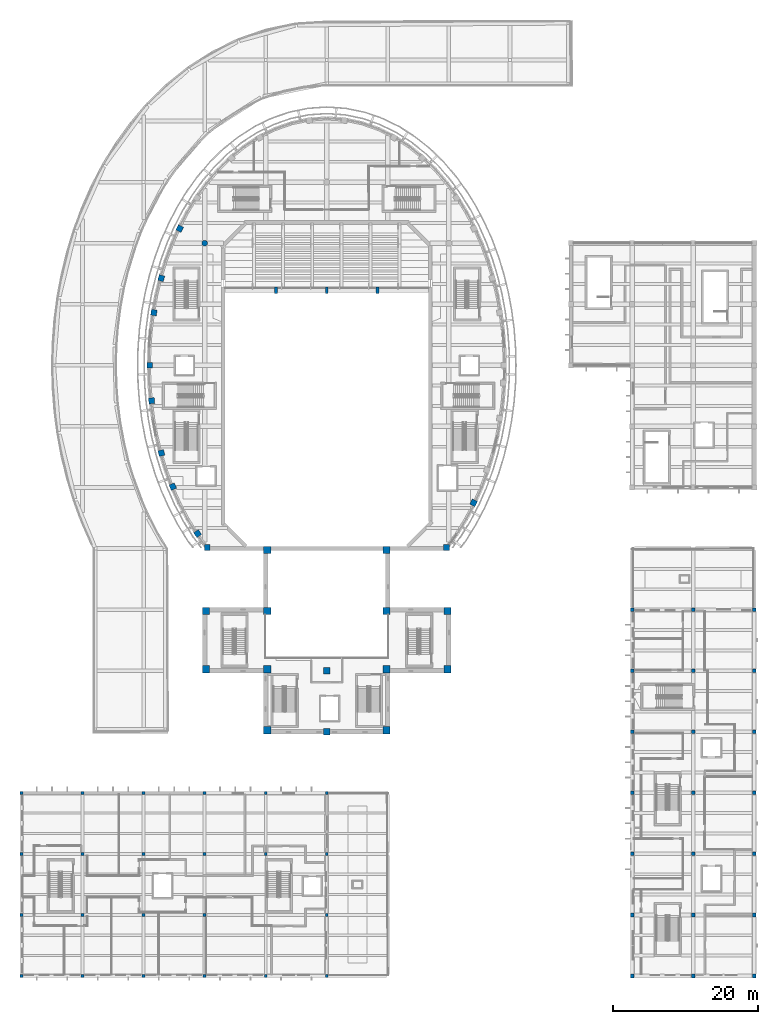
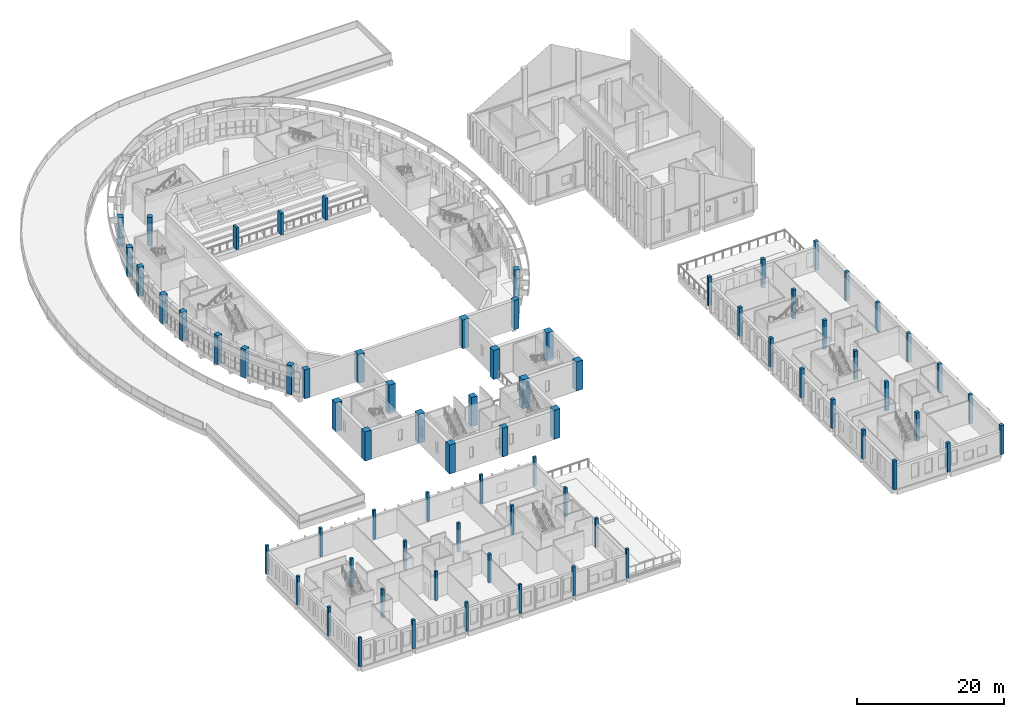
# One storey, part 1 of 79: 73 columns.
"""IFC4 building model written with IfcOpenShell, lengths in metres."""

from ifc_helpers import new_model, si_unit, direction, frame, origin, origin_2d, place, context, subcontext, project, spatial, rectangle, circle, extrude, material, material_profile, profile_set, type_object, element, save


model = new_model("IFC4")

# Units and contexts
model_context = context("Model", 3, precision=1e-05, world=origin(), true_north=direction((0.0, 1.0)))
body_context = subcontext(model_context, "Body", "Model", "MODEL_VIEW")
ifc_project = project(units=[si_unit("LENGTHUNIT", "METRE"), si_unit("AREAUNIT", "SQUARE_METRE"), si_unit("VOLUMEUNIT", "CUBIC_METRE"), si_unit("PLANEANGLEUNIT", "RADIAN"), si_unit("MASSUNIT", "GRAM", prefix="KILO")], contexts=[model_context])

# Site, building, storey
site_placement = place(None, origin())
site = spatial("IfcSite", under=ifc_project, at=site_placement, CompositionType="ELEMENT")
building_placement = place(site_placement, origin())
building = spatial("IfcBuilding", under=site, at=building_placement, Name="Larchfold Concert Hall", CompositionType="ELEMENT")
storey_placement = place(building_placement, frame((0.0, 0.0, 14.39990234375)))
storey = spatial("IfcBuildingStorey", under=building, at=storey_placement, Name="L03", CompositionType="ELEMENT", Elevation=14.39990234375)

# Columns
ifc_material_1 = material(Name="Concrete C35/45", Category="concrete")
ifc_material_profile_1 = material_profile(ifc_material_1, rectangle(XDim=1.0, YDim=1.0, at=origin_2d()))
ifc_profile_set_1 = profile_set([ifc_material_profile_1], Name="Concrete C35/45")
column_type_1 = type_object("IfcColumnType", Name="Column RC 1000x1000", PredefinedType="COLUMN", material=ifc_profile_set_1)
for number, where, z_axis, x_axis, name in (
    (1, (26.0, 42.800048828125, 0.0), (0.0, 0.0, 1.0), (1.0, 0.0, 0.0), "Column C0062"),
    (2, (26.0, 50.800048828125, 0.0), (0.0, 0.0, 1.0), (1.0, 0.0, 0.0), "Column C0063"),
    (3, (34.39990234375, 34.39990234375, 0.0), (0.0, 0.0, 1.0), (1.0, 0.0, 0.0), "Column C0064"),
    (4, (34.39990234375, 42.800048828125, 0.0), (0.0, 0.0, 1.0), (1.0, 0.0, 0.0), "Column C0065"),
    (5, (34.39990234375, 50.800048828125, 0.0), (0.0, 0.0, 1.0), (1.0, 0.0, 0.0), "Column C0066"),
    (6, (34.39990234375, 59.199951171875, 0.0), (0.0, 0.0, 1.0), (1.0, 0.0, 0.0), "Column C0067"),
    (7, (50.800048828125, 34.39990234375, 0.0), (0.0, 0.0, 1.0), (1.0, 0.0, 0.0), "Column C0070"),
    (8, (50.800048828125, 42.800048828125, 0.0), (0.0, 0.0, 1.0), (1.0, 0.0, 0.0), "Column C0071"),
    (9, (50.800048828125, 50.800048828125, 0.0), (0.0, 0.0, 1.0), (1.0, 0.0, 0.0), "Column C0072"),
    (10, (50.800048828125, 59.199951171875, 0.0), (0.0, 0.0, 1.0), (1.0, 0.0, 0.0), "Column C0073"),
    (11, (59.199951171875, 42.800048828125, 0.0), (0.0, 0.0, 1.0), (1.0, 0.0, 0.0), "Column C0074"),
    (12, (59.199951171875, 50.800048828125, 0.0), (0.0, 0.0, 1.0), (1.0, 0.0, 0.0), "Column C0075"),
):
    element("IfcColumn", number, at=place(storey_placement, frame(where, z_axis=z_axis, x_axis=x_axis)), inside=storey, type_object=column_type_1, Name=name, PredefinedType="COLUMN", context=body_context, shape_type="SweptSolid", body=[
        extrude(rectangle(XDim=1.0, YDim=1.0, at=origin_2d()), origin(), (0.0, 0.0, 1.0), 4.800048828125),
    ])
ifc_material_2 = material(Name="Concrete C35/45", Category="concrete")
ifc_material_profile_2 = material_profile(ifc_material_2, rectangle(XDim=0.39990234375, YDim=0.39990234375, at=origin_2d()))
ifc_profile_set_2 = profile_set([ifc_material_profile_2], Name="Concrete C35/45")
column_type_2 = type_object("IfcColumnType", Name="Column RC 400x400", PredefinedType="COLUMN", material=ifc_profile_set_2)
for number, where, z_axis, x_axis, name in (
    (13, (0.60009765625, 0.60009765625, 0.0), (0.0, 0.0, 1.0), (1.0, 0.0, 0.0), "Column C0001"),
    (14, (0.60009765625, 9.0, 0.0), (0.0, 0.0, 1.0), (1.0, 0.0, 0.0), "Column C0002"),
    (15, (0.60009765625, 17.39990234375, 0.0), (0.0, 0.0, 1.0), (1.0, 0.0, 0.0), "Column C0003"),
    (16, (0.60009765625, 25.800048828125, 0.0), (0.0, 0.0, 1.0), (1.0, 0.0, 0.0), "Column C0004"),
    (17, (9.0, 0.60009765625, 0.0), (0.0, 0.0, 1.0), (1.0, 0.0, 0.0), "Column C0005"),
    (18, (9.0, 9.0, 0.0), (0.0, 0.0, 1.0), (1.0, 0.0, 0.0), "Column C0006"),
    (19, (9.0, 17.39990234375, 0.0), (0.0, 0.0, 1.0), (1.0, 0.0, 0.0), "Column C0007"),
    (20, (9.0, 25.800048828125, 0.0), (0.0, 0.0, 1.0), (1.0, 0.0, 0.0), "Column C0008"),
    (21, (17.39990234375, 0.60009765625, 0.0), (0.0, 0.0, 1.0), (1.0, 0.0, 0.0), "Column C0009"),
    (22, (17.39990234375, 9.0, 0.0), (0.0, 0.0, 1.0), (1.0, 0.0, 0.0), "Column C0010"),
    (23, (17.39990234375, 17.39990234375, 0.0), (0.0, 0.0, 1.0), (1.0, 0.0, 0.0), "Column C0011"),
    (24, (17.39990234375, 25.800048828125, 0.0), (0.0, 0.0, 1.0), (1.0, 0.0, 0.0), "Column C0012"),
    (25, (25.800048828125, 0.60009765625, 0.0), (0.0, 0.0, 1.0), (1.0, 0.0, 0.0), "Column C0013"),
    (26, (25.800048828125, 9.0, 0.0), (0.0, 0.0, 1.0), (1.0, 0.0, 0.0), "Column C0014"),
    (27, (25.800048828125, 17.39990234375, 0.0), (0.0, 0.0, 1.0), (1.0, 0.0, 0.0), "Column C0015"),
    (28, (25.800048828125, 25.800048828125, 0.0), (0.0, 0.0, 1.0), (1.0, 0.0, 0.0), "Column C0016"),
    (29, (34.199951171875, 0.60009765625, 0.0), (0.0, 0.0, 1.0), (1.0, 0.0, 0.0), "Column C0017"),
    (30, (34.199951171875, 17.39990234375, 0.0), (0.0, 0.0, 1.0), (1.0, 0.0, 0.0), "Column C0018"),
    (31, (34.199951171875, 25.800048828125, 0.0), (0.0, 0.0, 1.0), (1.0, 0.0, 0.0), "Column C0019"),
    (32, (42.60009765625, 0.60009765625, 0.0), (0.0, 0.0, 1.0), (1.0, 0.0, 0.0), "Column C0020"),
    (33, (42.60009765625, 9.0, 0.0), (0.0, 0.0, 1.0), (1.0, 0.0, 0.0), "Column C0021"),
    (34, (42.60009765625, 17.39990234375, 0.0), (0.0, 0.0, 1.0), (1.0, 0.0, 0.0), "Column C0022"),
    (35, (42.60009765625, 25.800048828125, 0.0), (0.0, 0.0, 1.0), (1.0, 0.0, 0.0), "Column C0023"),
):
    element("IfcColumn", number, at=place(storey_placement, frame(where, z_axis=z_axis, x_axis=x_axis)), inside=storey, type_object=column_type_2, Name=name, PredefinedType="COLUMN", context=body_context, shape_type="SweptSolid", body=[
        extrude(rectangle(XDim=0.39990234375, YDim=0.39990234375, at=origin_2d()), origin(), (0.0, 0.0, 1.0), 4.800048828125),
    ])
ifc_material_3 = material(Name="Concrete C35/45", Category="concrete")
ifc_material_profile_3 = material_profile(ifc_material_3, rectangle(XDim=0.39990234375, YDim=0.89990234375, at=origin_2d()))
ifc_profile_set_3 = profile_set([ifc_material_profile_3], Name="Concrete C35/45")
column_type_3 = type_object("IfcColumnType", Name="Column RC 400x900", PredefinedType="COLUMN", material=ifc_profile_set_3)
for number, where, z_axis, x_axis, name in (
    (36, (35.60009765625, 94.89990234375, 0.0), (0.0, 0.0, 1.0), (1.0, 0.0, 0.0), "Column C0076"),
    (37, (42.60009765625, 94.89990234375, 0.0), (0.0, 0.0, 1.0), (1.0, 0.0, 0.0), "Column C0077"),
    (38, (49.60009765625, 94.89990234375, 0.0), (0.0, 0.0, 1.0), (1.0, 0.0, 0.0), "Column C0078"),
):
    element("IfcColumn", number, at=place(storey_placement, frame(where, z_axis=z_axis, x_axis=x_axis)), inside=storey, type_object=column_type_3, Name=name, PredefinedType="COLUMN", context=body_context, shape_type="SweptSolid", body=[
        extrude(rectangle(XDim=0.39990234375, YDim=0.89990234375, at=origin_2d()), origin(), (0.0, 0.0, 1.0), 3.580078125),
    ])
ifc_material_4 = material(Name="Concrete C35/45", Category="concrete")
ifc_material_profile_4 = material_profile(ifc_material_4, rectangle(XDim=0.5, YDim=0.5, at=origin_2d()))
ifc_profile_set_4 = profile_set([ifc_material_profile_4], Name="Concrete C35/45")
column_type_4 = type_object("IfcColumnType", Name="Column RC 500x500", PredefinedType="COLUMN", material=ifc_profile_set_4)
for number, where, z_axis, x_axis, name in (
    (39, (84.60009765625, 0.60009765625, 0.0), (0.0, 0.0, 1.0), (1.0, 0.0, 0.0), "Column C0024"),
    (40, (84.60009765625, 9.0, 0.0), (0.0, 0.0, 1.0), (1.0, 0.0, 0.0), "Column C0025"),
    (41, (84.60009765625, 17.39990234375, 0.0), (0.0, 0.0, 1.0), (1.0, 0.0, 0.0), "Column C0026"),
    (42, (84.60009765625, 25.800048828125, 0.0), (0.0, 0.0, 1.0), (1.0, 0.0, 0.0), "Column C0027"),
    (43, (84.60009765625, 34.199951171875, 0.0), (0.0, 0.0, 1.0), (1.0, 0.0, 0.0), "Column C0028"),
    (44, (84.60009765625, 42.60009765625, 0.0), (0.0, 0.0, 1.0), (1.0, 0.0, 0.0), "Column C0029"),
    (45, (84.60009765625, 51.0, 0.0), (0.0, 0.0, 1.0), (1.0, 0.0, 0.0), "Column C0030"),
    (46, (93.0, 0.60009765625, 0.0), (0.0, 0.0, 1.0), (1.0, 0.0, 0.0), "Column C0031"),
    (47, (93.0, 9.0, 0.0), (0.0, 0.0, 1.0), (1.0, 0.0, 0.0), "Column C0032"),
    (48, (93.0, 17.39990234375, 0.0), (0.0, 0.0, 1.0), (1.0, 0.0, 0.0), "Column C0033"),
    (49, (93.0, 25.800048828125, 0.0), (0.0, 0.0, 1.0), (1.0, 0.0, 0.0), "Column C0034"),
    (50, (93.0, 34.199951171875, 0.0), (0.0, 0.0, 1.0), (1.0, 0.0, 0.0), "Column C0035"),
    (51, (93.0, 42.60009765625, 0.0), (0.0, 0.0, 1.0), (1.0, 0.0, 0.0), "Column C0036"),
    (52, (93.0, 51.0, 0.0), (0.0, 0.0, 1.0), (1.0, 0.0, 0.0), "Column C0037"),
    (53, (101.39990234375, 0.60009765625, 0.0), (0.0, 0.0, 1.0), (1.0, 0.0, 0.0), "Column C0038"),
    (54, (101.39990234375, 9.0, 0.0), (0.0, 0.0, 1.0), (1.0, 0.0, 0.0), "Column C0039"),
    (55, (101.39990234375, 17.39990234375, 0.0), (0.0, 0.0, 1.0), (1.0, 0.0, 0.0), "Column C0040"),
    (56, (101.39990234375, 25.800048828125, 0.0), (0.0, 0.0, 1.0), (1.0, 0.0, 0.0), "Column C0041"),
    (57, (101.39990234375, 34.199951171875, 0.0), (0.0, 0.0, 1.0), (1.0, 0.0, 0.0), "Column C0042"),
    (58, (101.39990234375, 42.60009765625, 0.0), (0.0, 0.0, 1.0), (1.0, 0.0, 0.0), "Column C0043"),
    (59, (101.39990234375, 51.0, 0.0), (0.0, 0.0, 1.0), (1.0, 0.0, 0.0), "Column C0044"),
):
    element("IfcColumn", number, at=place(storey_placement, frame(where, z_axis=z_axis, x_axis=x_axis)), inside=storey, type_object=column_type_4, Name=name, PredefinedType="COLUMN", context=body_context, shape_type="SweptSolid", body=[
        extrude(rectangle(XDim=0.5, YDim=0.5, at=origin_2d()), origin(), (0.0, 0.0, 1.0), 4.800048828125),
    ])
ifc_material_5 = material(Name="Concrete C35/45", Category="concrete")
ifc_material_profile_5 = material_profile(ifc_material_5, rectangle(XDim=0.800048828125, YDim=0.800048828125, at=origin_2d()))
ifc_profile_set_5 = profile_set([ifc_material_profile_5], Name="Concrete C35/45")
column_type_5 = type_object("IfcColumnType", Name="Column RC 800x800", PredefinedType="COLUMN", material=ifc_profile_set_5)
for number, where, z_axis, x_axis, name in (
    (60, (22.354736328125, 103.404296875, 0.0), (0.0, 0.0, 1.0), (0.433275657946, 0.901261451651, 0.0), "Column C9013"),
    (61, (19.830078125, 96.591796875, 0.0), (0.0, 0.0, 1.0), (0.263030529779, 0.964787510493, 0.0), "Column C9014"),
    (62, (18.8154296875, 91.849609375, 0.0), (0.0, 0.0, 1.0), (0.155868072999, 0.987777881823, 0.0), "Column C9015"),
    (63, (18.25, 84.60009765625, 0.0), (0.0, 0.0, 1.0), (2.069716e-06, 0.999999999998, 0.0), "Column C9016"),
    (64, (18.50390625, 79.725830078125, 0.0), (0.0, 0.0, 1.0), (0.994561340283, 0.104152486359, 0.0), "Column C9017"),
    (65, (19.849853515625, 72.53564453125, 0.0), (0.0, 0.0, 1.0), (0.964323619166, 0.264726193489, 0.0), "Column C9018"),
    (66, (21.414794921875, 67.91552734375, 0.0), (0.0, 0.0, 1.0), (0.926013821217, 0.377489606368, 0.0), "Column C9019"),
    (67, (24.830810546875, 61.459228515625, 0.0), (0.0, 0.0, 1.0), (0.829252824487, 0.558873646794, 0.0), "Column C9020"),
    (68, (26.153076171875, 59.5498046875, 0.0), (0.0, 0.0, 1.0), (1.0, 0.0, 0.0), "Column C9021"),
    (69, (59.047119140625, 59.5498046875, 0.0), (0.0, 0.0, 1.0), (1.0, 0.0, 0.0), "Column C9022"),
    (70, (62.793212890625, 65.687255859375, 0.0), (0.0, 0.0, 1.0), (0.436211127096, 0.899844349095, 0.0), "Column C9023"),
):
    element("IfcColumn", number, at=place(storey_placement, frame(where, z_axis=z_axis, x_axis=x_axis)), inside=storey, type_object=column_type_5, Name=name, PredefinedType="COLUMN", context=body_context, shape_type="SweptSolid", body=[
        extrude(rectangle(XDim=0.800048828125, YDim=0.800048828125, at=origin_2d()), origin(), (0.0, 0.0, 1.0), 4.800048828125),
    ])
ifc_material_6 = material(Name="Concrete C35/45", Category="concrete")
ifc_material_profile_6 = material_profile(ifc_material_6, rectangle(XDim=0.89990234375, YDim=0.89990234375, at=origin_2d()))
ifc_profile_set_6 = profile_set([ifc_material_profile_6], Name="Concrete C35/45")
column_type_6 = type_object("IfcColumnType", Name="Column RC 900x900", PredefinedType="COLUMN", material=ifc_profile_set_6)
for number, where, z_axis, x_axis, name in (
    (71, (42.60009765625, 34.199951171875, 0.0), (0.0, 0.0, 1.0), (1.0, 0.0, 0.0), "Column C0068"),
    (72, (42.60009765625, 42.60009765625, 0.0), (0.0, 0.0, 1.0), (1.0, 0.0, 0.0), "Column C0069"),
):
    element("IfcColumn", number, at=place(storey_placement, frame(where, z_axis=z_axis, x_axis=x_axis)), inside=storey, type_object=column_type_6, Name=name, PredefinedType="COLUMN", context=body_context, shape_type="SweptSolid", body=[
        extrude(rectangle(XDim=0.89990234375, YDim=0.89990234375, at=origin_2d()), origin(), (0.0, 0.0, 1.0), 4.800048828125),
    ])
ifc_material_7 = material(Name="Concrete C35/45", Category="concrete")
ifc_material_profile_7 = material_profile(ifc_material_7, circle(Radius=0.39990234375, at=origin_2d()))
ifc_profile_set_7 = profile_set([ifc_material_profile_7], Name="Concrete C35/45")
column_type_7 = type_object("IfcColumnType", Name="Column RC D800", PredefinedType="COLUMN", material=ifc_profile_set_7)
column_placement = place(storey_placement, frame((25.800048828125, 101.39990234375, 0.0), z_axis=(0.0, 0.0, 1.0), x_axis=(1.0, 0.0, 0.0)))
element("IfcColumn", 73, at=column_placement, inside=storey, type_object=column_type_7, Name="Column RC5814", PredefinedType="COLUMN", context=body_context, shape_type="SweptSolid", body=[
    extrude(circle(Radius=0.39990234375, at=origin_2d()), origin(), (0.0, 0.0, 1.0), 4.800048828125),
])

save(model, "model.ifc")
